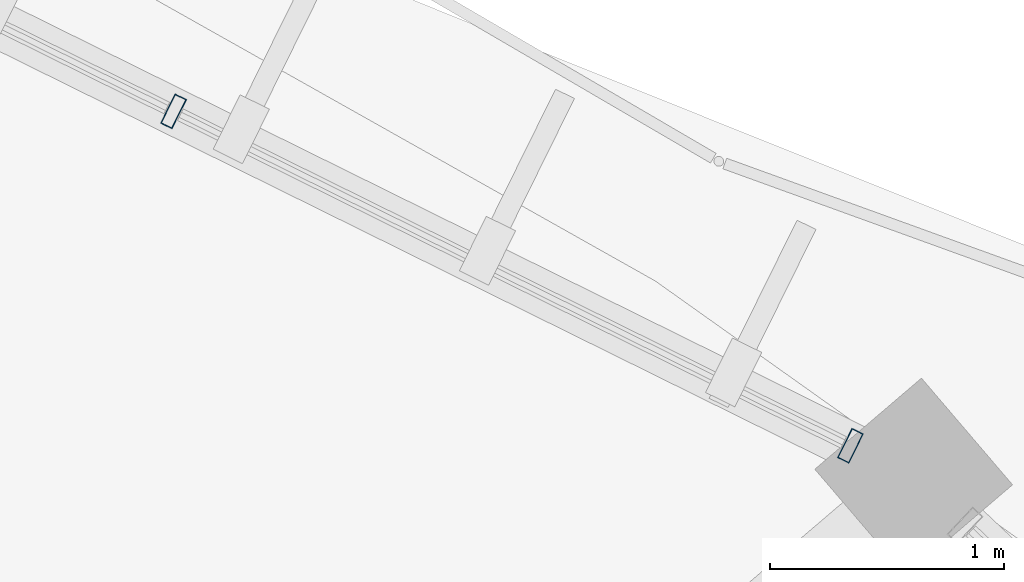
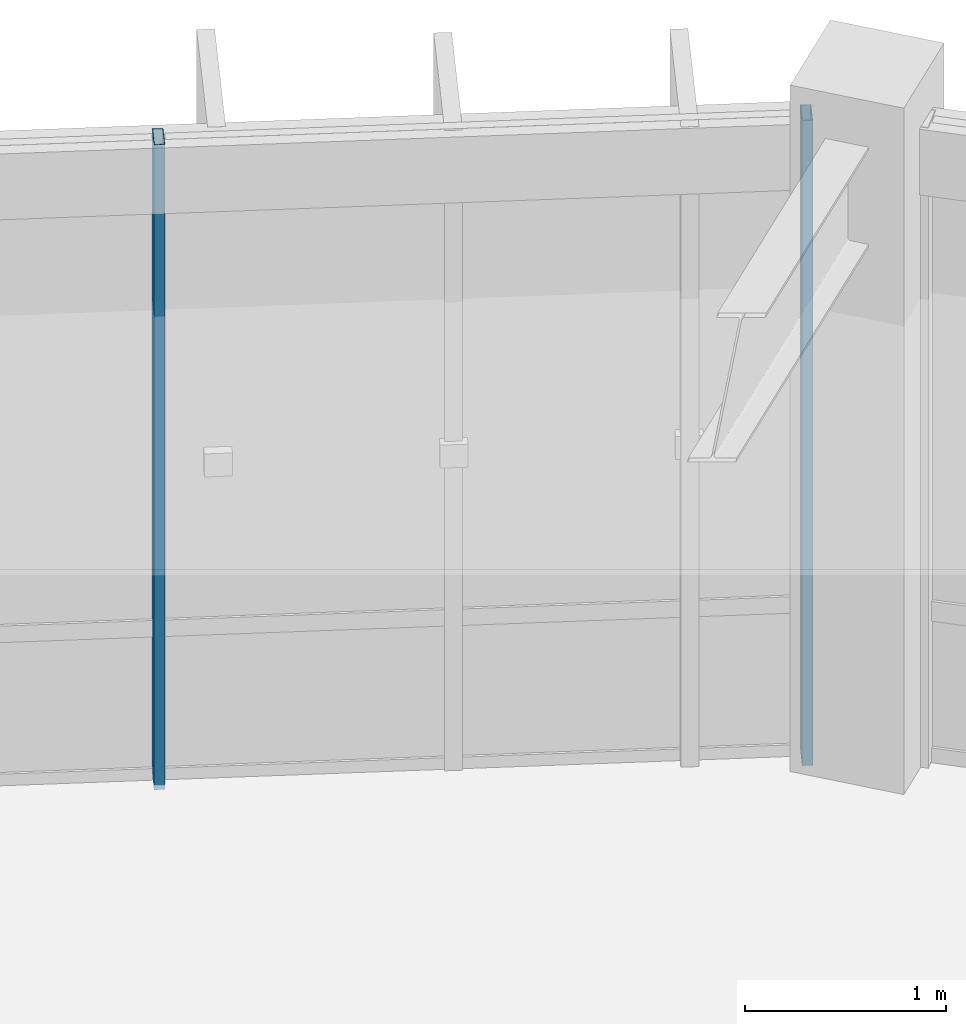
# One storey, part 48 of 83: 2 members, 1 element without a shape of its own.
"""IFC4 building model written with IfcOpenShell, lengths in metres."""

from ifc_helpers import new_model, si_unit, direction, frame, origin, origin_2d, place, context, subcontext, project, spatial, hollow_rectangle, extrude, material, material_profile, profile_set, type_object, element, aggregate, save


model = new_model("IFC4")

# Units and contexts
model_context = context("Model", 3, precision=1e-05, world=origin(), true_north=direction((0.0, 1.0)))
body_context = subcontext(model_context, "Body", "Model", "MODEL_VIEW")
ifc_project = project(units=[si_unit("LENGTHUNIT", "METRE"), si_unit("AREAUNIT", "SQUARE_METRE"), si_unit("VOLUMEUNIT", "CUBIC_METRE"), si_unit("PLANEANGLEUNIT", "RADIAN"), si_unit("MASSUNIT", "GRAM", prefix="KILO"), si_unit("THERMODYNAMICTEMPERATUREUNIT", "KELVIN"), si_unit("POWERUNIT", "WATT")], contexts=[model_context])

# Site, building, storey
site_placement = place(None, origin())
site = spatial("IfcSite", under=ifc_project, at=site_placement, CompositionType="ELEMENT")
building_placement = place(site_placement, origin())
building = spatial("IfcBuilding", under=site, at=building_placement, Name="Darbajah Civic Hall", CompositionType="ELEMENT")
storey_placement = place(building_placement, frame((0.0, 0.0, 18.0)))
storey = spatial("IfcBuildingStorey", under=building, at=storey_placement, Name="L04", CompositionType="ELEMENT", Elevation=18.0)

# Curtain wall, members
ifc_material_1 = material(Name="Anodised Bronze Aluminium and Low-E Glazing", Category="aluminium")
curtain_wall_type = type_object("IfcCurtainWallType", Name="Unitised Curtain Wall CW-56 12900x3900", PredefinedType="USERDEFINED", material=ifc_material_1)
curtain_wall_placement = place(storey_placement, origin())
curtain_wall = element("IfcCurtainWall", 1, at=curtain_wall_placement, inside=storey, type_object=curtain_wall_type, Name="L04 unitised curtain wall CW-V1O-L04-02", ObjectType="UNITISED CURTAIN WALL", PredefinedType="USERDEFINED")
ifc_material_2 = material(Name="Anodised Bronze Aluminium", Category="aluminium")
ifc_material_profile = material_profile(ifc_material_2, hollow_rectangle(XDim=0.054931640625, YDim=0.139892578125, WallThickness=0.003173828125, at=origin_2d()), Name="ALU MULLION 55x140")
ifc_profile_set = profile_set([ifc_material_profile], Name="Anodised Bronze Aluminium")
member_type = type_object("IfcMemberType", Name="ALU MULLION 55x140", PredefinedType="MULLION", material=ifc_profile_set)
member_1_placement = place(storey_placement, frame((127.60986328125, 109.092529296875, 0.0), z_axis=(0.0, 0.0, 1.0), x_axis=(-0.89656374724, 0.442914717678, 0.0)))
member_1 = element("IfcMember", 2, at=member_1_placement, type_object=member_type, Name="CW-V1O-L04-02 mullion 1", PredefinedType="MULLION", context=body_context, shape_type="SweptSolid", body=[
    extrude(hollow_rectangle(XDim=0.054931640625, YDim=0.139892578125, WallThickness=0.003173828125, at=origin_2d()), origin(), (0.0, 0.0, 1.0), 3.919921875),
])
member_2_placement = place(storey_placement, frame((124.7119140625, 110.524169921875, 0.0), z_axis=(0.0, 0.0, 1.0), x_axis=(-0.89656374724, 0.442914717678, 0.0)))
member_2 = element("IfcMember", 3, at=member_2_placement, type_object=member_type, Name="CW-V1O-L04-02 mullion 2", PredefinedType="MULLION", context=body_context, shape_type="SweptSolid", body=[
    extrude(hollow_rectangle(XDim=0.054931640625, YDim=0.139892578125, WallThickness=0.003173828125, at=origin_2d()), origin(), (0.0, 0.0, 1.0), 3.919921875),
])
aggregate(curtain_wall, [member_1, member_2])

save(model, "model.ifc")
